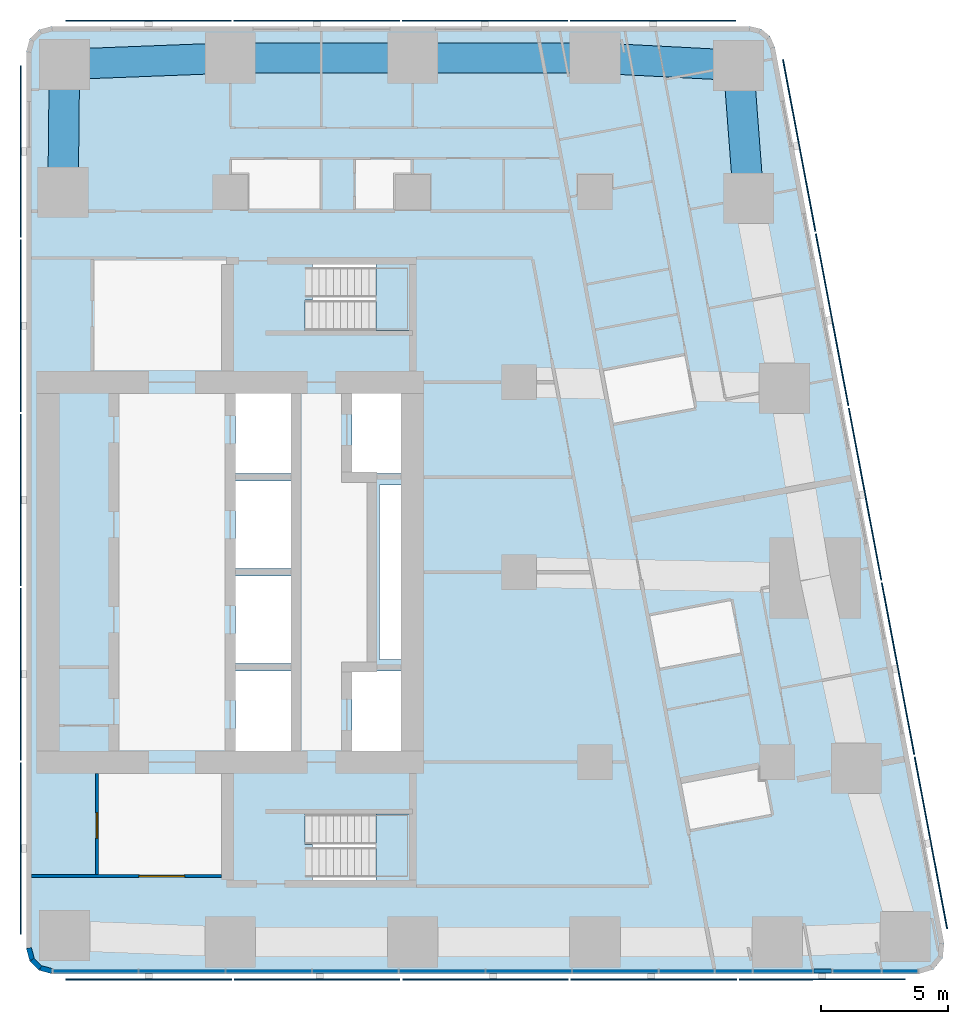
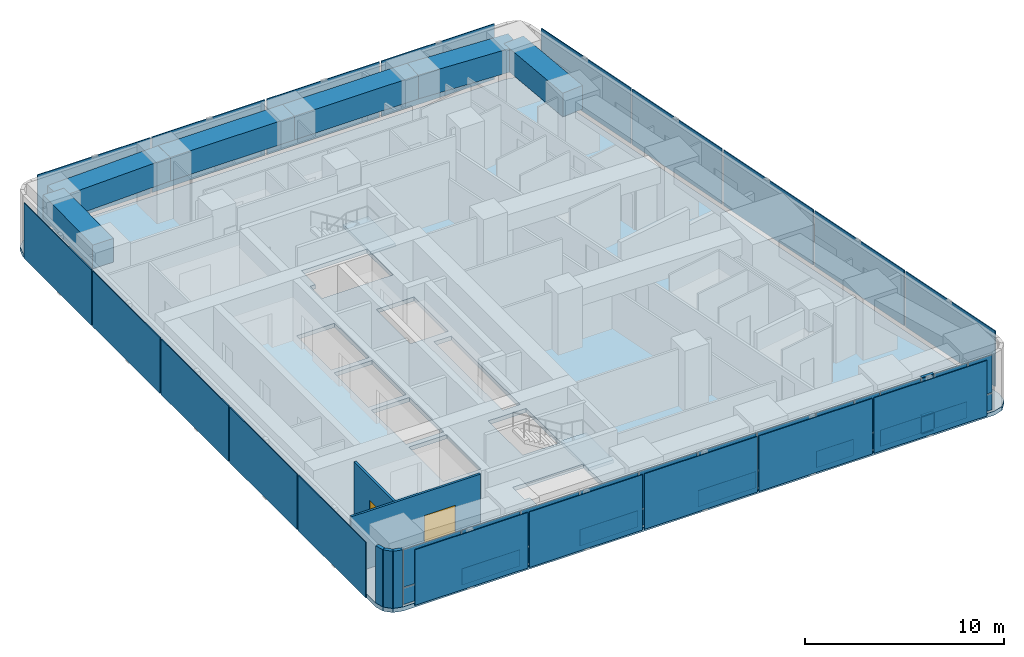
# One storey, part 4 of 11: 45 plates, 6 beams, 5 walls, 3 members, 3 slabs, 2 doors, 2 openings, 3 elements without a shape of their own.
"""IFC4 building model written with IfcOpenShell, lengths in metres."""

from ifc_helpers import new_model, si_unit, direction, frame, frame_2d, origin, origin_2d, place, context, subcontext, project, spatial, polyline, rectangle, outline, extrude, material, layer, layer_set, material_profile, profile_set, type_object, element, fill, aggregate, save


model = new_model("IFC4")

# Units and contexts
model_context = context("Model", 3, precision=1e-05, world=origin(), true_north=direction((0.0, 1.0)))
body_context = subcontext(model_context, "Body", "Model", "MODEL_VIEW")
ifc_project = project(units=[si_unit("LENGTHUNIT", "METRE"), si_unit("AREAUNIT", "SQUARE_METRE"), si_unit("VOLUMEUNIT", "CUBIC_METRE"), si_unit("PLANEANGLEUNIT", "RADIAN"), si_unit("MASSUNIT", "GRAM", prefix="KILO")], contexts=[model_context])

# Site, building, storey
site_placement = place(None, origin())
site = spatial("IfcSite", under=ifc_project, at=site_placement, CompositionType="ELEMENT")
building_placement = place(site_placement, origin())
building = spatial("IfcBuilding", under=site, at=building_placement, Name="Sheger Commons Tower", CompositionType="ELEMENT")
storey_placement = place(building_placement, frame((0.0, 0.0, 266.60009765625)))
storey = spatial("IfcBuildingStorey", under=building, at=storey_placement, Name="L68", CompositionType="ELEMENT", Elevation=266.60009765625)

# Beams
ifc_material_1 = material(Name="Concrete C50/60", Category="concrete")
ifc_material_profile_1 = material_profile(ifc_material_1, rectangle(XDim=1.199951171875, YDim=1.449951171875, at=origin_2d()), Name="RC 1200x1450")
ifc_profile_set_1 = profile_set([ifc_material_profile_1], Name="Concrete C50/60")
beam_type = type_object("IfcBeamType", Name="SPANDREL RC 1200x1450", PredefinedType="SPANDREL", material=ifc_profile_set_1)
beam_1_placement = place(storey_placement, frame((42.06396484375, 37.262939453125, 2.77490234375), z_axis=(-0.075496345854, 0.997146078447, 0.0), x_axis=(-0.997146078447, -0.075496345854, 0.0)))
element("IfcBeam", 1, at=beam_1_placement, inside=storey, type_object=beam_type, Name="Beam E/F-E/G-1.8 under L69", PredefinedType="SPANDREL", context=body_context, shape_type="SweptSolid", body=[
    extrude(rectangle(XDim=1.199951171875, YDim=1.449951171875, at=origin_2d()), origin(), (0.0, 0.0, 1.0), 5.258056640625),
])
beam_2_placement = place(storey_placement, frame((41.6669921875, 42.506103515625, 2.77490234375), z_axis=(-0.998657474351, 0.051800086124, 0.0), x_axis=(-0.051800086124, -0.998657474351, 0.0)))
element("IfcBeam", 2, at=beam_2_placement, inside=storey, type_object=beam_type, Name="Beam E/G-1.8-6/G-1.8 under L69", PredefinedType="SPANDREL", context=body_context, shape_type="SweptSolid", body=[
    extrude(rectangle(XDim=1.199951171875, YDim=1.449951171875, at=origin_2d()), origin(), (0.0, 0.0, 1.0), 5.674560546875),
])
for number, where, z_axis, x_axis, name in (
    (3, (36.0, 42.800048828125, 2.77490234375), (-1.0, 0.0, 0.0), (0.0, -1.0, 0.0), "Beam 6/G-1.8-5/G-1.8 under L69"),
    (4, (28.800048828125, 42.800048828125, 2.77490234375), (-1.0, 0.0, 0.0), (0.0, -1.0, 0.0), "Beam 5/G-1.8-4/G-1.8 under L69"),
):
    element("IfcBeam", number, at=place(storey_placement, frame(where, z_axis=z_axis, x_axis=x_axis)), inside=storey, type_object=beam_type, Name=name, PredefinedType="SPANDREL", context=body_context, shape_type="SweptSolid", body=[
        extrude(rectangle(XDim=1.199951171875, YDim=1.449951171875, at=origin_2d()), origin(), (0.0, 0.0, 1.0), 7.199951171875),
    ])
beam_3_placement = place(storey_placement, frame((21.60009765625, 42.800048828125, 2.77490234375), z_axis=(-0.999247181966, -0.038795223079, 0.0), x_axis=(0.038795223079, -0.999247181966, 0.0)))
element("IfcBeam", 5, at=beam_3_placement, inside=storey, type_object=beam_type, Name="Beam 4/G-1.8-3/G-1.8 under L69", PredefinedType="SPANDREL", context=body_context, shape_type="SweptSolid", body=[
    extrude(rectangle(XDim=1.199951171875, YDim=1.449951171875, at=origin_2d()), origin(), (0.0, 0.0, 1.0), 6.551025390625),
])
beam_4_placement = place(storey_placement, frame((15.053955078125, 42.5458984375, 2.77490234375), z_axis=(-0.010692247282, -0.99994283629, 0.0), x_axis=(0.99994283629, -0.010692247282, 0.0)))
element("IfcBeam", 6, at=beam_4_placement, inside=storey, type_object=beam_type, Name="Beam 3/G-1.8-3/F under L69", PredefinedType="SPANDREL", context=body_context, shape_type="SweptSolid", body=[
    extrude(rectangle(XDim=1.199951171875, YDim=1.449951171875, at=origin_2d()), origin(), (0.0, 0.0, 1.0), 5.046142578125),
])

# Curtain wall, members, plates
ifc_material_2 = material(Name="Black aluminium curtain wall, dark tinted glazing", Category="aluminium")
curtain_wall_type = type_object("IfcCurtainWallType", Name="CURTAIN WALL CW5 SOUTH GALLERY", PredefinedType="USERDEFINED", material=ifc_material_2)
curtain_wall_placement = place(storey_placement, origin())
curtain_wall = element("IfcCurtainWall", 7, at=curtain_wall_placement, inside=storey, type_object=curtain_wall_type, Name="Curtain Wall Cw5 South Gallery S1 L68", ObjectType="UNITISED CURTAIN WALL", PredefinedType="USERDEFINED")
ifc_material_3 = material(Name="Black anodised aluminium", Category="aluminium")
ifc_material_profile_2 = material_profile(ifc_material_3, rectangle(XDim=0.14990234375, YDim=0.06494140625, at=origin_2d()), Name="AL 65x150")
ifc_profile_set_2 = profile_set([ifc_material_profile_2], Name="Black anodised aluminium")
member_type = type_object("IfcMemberType", Name="TRANSOM AL 65x150", PredefinedType="USERDEFINED", material=ifc_profile_set_2)
member_1_placement = place(storey_placement, frame((44.638427734375, 6.75, 0.032470703125), z_axis=(1.0, 0.0, 0.0), x_axis=(0.0, 1.0, 0.0)))
member_1 = element("IfcMember", 8, at=member_1_placement, type_object=member_type, Name="CW5 transom 11.1", ObjectType="TRANSOM", PredefinedType="USERDEFINED", context=body_context, shape_type="SweptSolid", body=[
    extrude(rectangle(XDim=0.14990234375, YDim=0.06494140625, at=origin_2d()), origin(), (0.0, 0.0, 1.0), 0.694091796875),
])
member_2_placement = place(storey_placement, frame((44.638427734375, 6.75, 1.099853515625), z_axis=(1.0, 0.0, 0.0), x_axis=(0.0, 1.0, 0.0)))
member_2 = element("IfcMember", 9, at=member_2_placement, type_object=member_type, Name="CW5 transom 11.2", ObjectType="TRANSOM", PredefinedType="USERDEFINED", context=body_context, shape_type="SweptSolid", body=[
    extrude(rectangle(XDim=0.14990234375, YDim=0.06494140625, at=origin_2d()), origin(), (0.0, 0.0, 1.0), 0.694091796875),
])
member_3_placement = place(storey_placement, frame((44.638427734375, 6.75, 3.46728515625), z_axis=(1.0, 0.0, 0.0), x_axis=(0.0, 1.0, 0.0)))
member_3 = element("IfcMember", 10, at=member_3_placement, type_object=member_type, Name="CW5 transom 11.3", ObjectType="TRANSOM", PredefinedType="USERDEFINED", context=body_context, shape_type="SweptSolid", body=[
    extrude(rectangle(XDim=0.14990234375, YDim=0.06494140625, at=origin_2d()), origin(), (0.0, 0.0, 1.0), 0.694091796875),
])
ifc_material_4 = material(Name="Dark tinted double glazing", Category="glass")
ifc_layer_1 = layer(ifc_material_4, 0.031982421875)
ifc_layer_set_1 = layer_set([ifc_layer_1], Name="GLAZED PANEL 32")
plate_type_1 = type_object("IfcPlateType", Name="GLAZED PANEL 32", PredefinedType="CURTAIN_PANEL", material=ifc_layer_set_1)
plate_1_placement = place(storey_placement, frame((16.290283203125, 6.75, 0.06494140625), z_axis=(0.0, 0.0, 1.0), x_axis=(1.0, 0.0, 0.0)))
plate_1 = element("IfcPlate", 11, at=plate_1_placement, type_object=plate_type_1, Name="CW5 panel 1.1", PredefinedType="CURTAIN_PANEL", context=body_context, shape_type="SweptSolid", body=[
    extrude(rectangle(XDim=3.324462890625, YDim=0.031982421875, at=origin_2d()), origin(), (0.0, 0.0, 1.0), 1.00244140625),
])
plate_2_placement = place(storey_placement, frame((16.290283203125, 6.75, 1.13232421875), z_axis=(0.0, 0.0, 1.0), x_axis=(1.0, 0.0, 0.0)))
plate_2 = element("IfcPlate", 12, at=plate_2_placement, type_object=plate_type_1, Name="CW5 panel 1.2", PredefinedType="CURTAIN_PANEL", context=body_context, shape_type="SweptSolid", body=[
    extrude(rectangle(XDim=3.324462890625, YDim=0.031982421875, at=origin_2d()), origin(), (0.0, 0.0, 1.0), 2.302490234375),
])
plate_3_placement = place(storey_placement, frame((19.696533203125, 6.75, 0.06494140625), z_axis=(0.0, 0.0, 1.0), x_axis=(1.0, 0.0, 0.0)))
plate_3 = element("IfcPlate", 13, at=plate_3_placement, type_object=plate_type_1, Name="CW5 panel 2.1", PredefinedType="CURTAIN_PANEL", context=body_context, shape_type="SweptSolid", body=[
    extrude(rectangle(XDim=3.35791015625, YDim=0.031982421875, at=origin_2d()), origin(), (0.0, 0.0, 1.0), 1.00244140625),
])
plate_4_placement = place(storey_placement, frame((19.696533203125, 6.75, 1.13232421875), z_axis=(0.0, 0.0, 1.0), x_axis=(1.0, 0.0, 0.0)))
plate_4 = element("IfcPlate", 14, at=plate_4_placement, type_object=plate_type_1, Name="CW5 panel 2.2", PredefinedType="CURTAIN_PANEL", context=body_context, shape_type="SweptSolid", body=[
    extrude(rectangle(XDim=3.35791015625, YDim=0.031982421875, at=origin_2d()), origin(), (0.0, 0.0, 1.0), 2.302490234375),
])
plate_5_placement = place(storey_placement, frame((23.118896484375, 6.75, 0.06494140625), z_axis=(0.0, 0.0, 1.0), x_axis=(1.0, 0.0, 0.0)))
plate_5 = element("IfcPlate", 15, at=plate_5_placement, type_object=plate_type_1, Name="CW5 panel 3.1", PredefinedType="CURTAIN_PANEL", context=body_context, shape_type="SweptSolid", body=[
    extrude(rectangle(XDim=3.35693359375, YDim=0.031982421875, at=origin_2d()), origin(), (0.0, 0.0, 1.0), 1.00244140625),
])
plate_6_placement = place(storey_placement, frame((23.118896484375, 6.75, 1.13232421875), z_axis=(0.0, 0.0, 1.0), x_axis=(1.0, 0.0, 0.0)))
plate_6 = element("IfcPlate", 16, at=plate_6_placement, type_object=plate_type_1, Name="CW5 panel 3.2", PredefinedType="CURTAIN_PANEL", context=body_context, shape_type="SweptSolid", body=[
    extrude(rectangle(XDim=3.35693359375, YDim=0.031982421875, at=origin_2d()), origin(), (0.0, 0.0, 1.0), 2.302490234375),
])
plate_7_placement = place(storey_placement, frame((26.54150390625, 6.75, 0.06494140625), z_axis=(0.0, 0.0, 1.0), x_axis=(1.0, 0.0, 0.0)))
plate_7 = element("IfcPlate", 17, at=plate_7_placement, type_object=plate_type_1, Name="CW5 panel 4.1", PredefinedType="CURTAIN_PANEL", context=body_context, shape_type="SweptSolid", body=[
    extrude(rectangle(XDim=3.35791015625, YDim=0.031982421875, at=origin_2d()), origin(), (0.0, 0.0, 1.0), 1.00244140625),
])
plate_8_placement = place(storey_placement, frame((26.54150390625, 6.75, 1.13232421875), z_axis=(0.0, 0.0, 1.0), x_axis=(1.0, 0.0, 0.0)))
plate_8 = element("IfcPlate", 18, at=plate_8_placement, type_object=plate_type_1, Name="CW5 panel 4.2", PredefinedType="CURTAIN_PANEL", context=body_context, shape_type="SweptSolid", body=[
    extrude(rectangle(XDim=3.35791015625, YDim=0.031982421875, at=origin_2d()), origin(), (0.0, 0.0, 1.0), 2.302490234375),
])
plate_9_placement = place(storey_placement, frame((29.964111328125, 6.75, 0.06494140625), z_axis=(0.0, 0.0, 1.0), x_axis=(1.0, 0.0, 0.0)))
plate_9 = element("IfcPlate", 19, at=plate_9_placement, type_object=plate_type_1, Name="CW5 panel 5.1", PredefinedType="CURTAIN_PANEL", context=body_context, shape_type="SweptSolid", body=[
    extrude(rectangle(XDim=3.35693359375, YDim=0.031982421875, at=origin_2d()), origin(), (0.0, 0.0, 1.0), 1.00244140625),
])
plate_10_placement = place(storey_placement, frame((29.964111328125, 6.75, 1.13232421875), z_axis=(0.0, 0.0, 1.0), x_axis=(1.0, 0.0, 0.0)))
plate_10 = element("IfcPlate", 20, at=plate_10_placement, type_object=plate_type_1, Name="CW5 panel 5.2", PredefinedType="CURTAIN_PANEL", context=body_context, shape_type="SweptSolid", body=[
    extrude(rectangle(XDim=3.35693359375, YDim=0.031982421875, at=origin_2d()), origin(), (0.0, 0.0, 1.0), 2.302490234375),
])
plate_11_placement = place(storey_placement, frame((33.385986328125, 6.75, 0.06494140625), z_axis=(0.0, 0.0, 1.0), x_axis=(1.0, 0.0, 0.0)))
plate_11 = element("IfcPlate", 21, at=plate_11_placement, type_object=plate_type_1, Name="CW5 panel 6.1", PredefinedType="CURTAIN_PANEL", context=body_context, shape_type="SweptSolid", body=[
    extrude(rectangle(XDim=3.35693359375, YDim=0.031982421875, at=origin_2d()), origin(), (0.0, 0.0, 1.0), 1.00244140625),
])
plate_12_placement = place(storey_placement, frame((33.385986328125, 6.75, 1.13232421875), z_axis=(0.0, 0.0, 1.0), x_axis=(1.0, 0.0, 0.0)))
plate_12 = element("IfcPlate", 22, at=plate_12_placement, type_object=plate_type_1, Name="CW5 panel 6.2", PredefinedType="CURTAIN_PANEL", context=body_context, shape_type="SweptSolid", body=[
    extrude(rectangle(XDim=3.35693359375, YDim=0.031982421875, at=origin_2d()), origin(), (0.0, 0.0, 1.0), 2.302490234375),
])
plate_13_placement = place(storey_placement, frame((36.80859375, 6.75, 0.06494140625), z_axis=(0.0, 0.0, 1.0), x_axis=(1.0, 0.0, 0.0)))
plate_13 = element("IfcPlate", 23, at=plate_13_placement, type_object=plate_type_1, Name="CW5 panel 7.1", PredefinedType="CURTAIN_PANEL", context=body_context, shape_type="SweptSolid", body=[
    extrude(rectangle(XDim=3.35791015625, YDim=0.031982421875, at=origin_2d()), origin(), (0.0, 0.0, 1.0), 1.00244140625),
])
plate_14_placement = place(storey_placement, frame((36.80859375, 6.75, 1.13232421875), z_axis=(0.0, 0.0, 1.0), x_axis=(1.0, 0.0, 0.0)))
plate_14 = element("IfcPlate", 24, at=plate_14_placement, type_object=plate_type_1, Name="CW5 panel 7.2", PredefinedType="CURTAIN_PANEL", context=body_context, shape_type="SweptSolid", body=[
    extrude(rectangle(XDim=3.35791015625, YDim=0.031982421875, at=origin_2d()), origin(), (0.0, 0.0, 1.0), 2.302490234375),
])
plate_15_placement = place(storey_placement, frame((39.62451171875, 6.75, 0.06494140625), z_axis=(0.0, 0.0, 1.0), x_axis=(1.0, 0.0, 0.0)))
plate_15 = element("IfcPlate", 25, at=plate_15_placement, type_object=plate_type_1, Name="CW5 panel 8.1", PredefinedType="CURTAIN_PANEL", context=body_context, shape_type="SweptSolid", body=[
    extrude(rectangle(XDim=2.14404296875, YDim=0.031982421875, at=origin_2d()), origin(), (0.0, 0.0, 1.0), 1.00244140625),
])
plate_16_placement = place(storey_placement, frame((39.62451171875, 6.75, 1.13232421875), z_axis=(0.0, 0.0, 1.0), x_axis=(1.0, 0.0, 0.0)))
plate_16 = element("IfcPlate", 26, at=plate_16_placement, type_object=plate_type_1, Name="CW5 panel 8.2", PredefinedType="CURTAIN_PANEL", context=body_context, shape_type="SweptSolid", body=[
    extrude(rectangle(XDim=2.14404296875, YDim=0.031982421875, at=origin_2d()), origin(), (0.0, 0.0, 1.0), 2.302490234375),
])
plate_17_placement = place(storey_placement, frame((41.478515625, 6.75, 0.06494140625), z_axis=(0.0, 0.0, 1.0), x_axis=(1.0, 0.0, 0.0)))
plate_17 = element("IfcPlate", 27, at=plate_17_placement, type_object=plate_type_1, Name="CW5 panel 9.1", PredefinedType="CURTAIN_PANEL", context=body_context, shape_type="SweptSolid", body=[
    extrude(rectangle(XDim=1.43408203125, YDim=0.031982421875, at=origin_2d()), origin(), (0.0, 0.0, 1.0), 1.00244140625),
])
plate_18_placement = place(storey_placement, frame((41.478515625, 6.75, 1.13232421875), z_axis=(0.0, 0.0, 1.0), x_axis=(1.0, 0.0, 0.0)))
plate_18 = element("IfcPlate", 28, at=plate_18_placement, type_object=plate_type_1, Name="CW5 panel 9.2", PredefinedType="CURTAIN_PANEL", context=body_context, shape_type="SweptSolid", body=[
    extrude(rectangle(XDim=1.43408203125, YDim=0.031982421875, at=origin_2d()), origin(), (0.0, 0.0, 1.0), 2.302490234375),
])
plate_19_placement = place(storey_placement, frame((43.4169921875, 6.75, 0.06494140625), z_axis=(0.0, 0.0, 1.0), x_axis=(1.0, 0.0, 0.0)))
plate_19 = element("IfcPlate", 29, at=plate_19_placement, type_object=plate_type_1, Name="CW5 panel 10.1", PredefinedType="CURTAIN_PANEL", context=body_context, shape_type="SweptSolid", body=[
    extrude(rectangle(XDim=2.31298828125, YDim=0.031982421875, at=origin_2d()), origin(), (0.0, 0.0, 1.0), 1.00244140625),
])
plate_20_placement = place(storey_placement, frame((43.4169921875, 6.75, 1.13232421875), z_axis=(0.0, 0.0, 1.0), x_axis=(1.0, 0.0, 0.0)))
plate_20 = element("IfcPlate", 30, at=plate_20_placement, type_object=plate_type_1, Name="CW5 panel 10.2", PredefinedType="CURTAIN_PANEL", context=body_context, shape_type="SweptSolid", body=[
    extrude(rectangle(XDim=2.31298828125, YDim=0.031982421875, at=origin_2d()), origin(), (0.0, 0.0, 1.0), 2.302490234375),
])
plate_21_placement = place(storey_placement, frame((44.985595703125, 6.75, 0.06494140625), z_axis=(0.0, 0.0, 1.0), x_axis=(1.0, 0.0, 0.0)))
plate_21 = element("IfcPlate", 31, at=plate_21_placement, type_object=plate_type_1, Name="CW5 panel 11.1", PredefinedType="CURTAIN_PANEL", context=body_context, shape_type="SweptSolid", body=[
    extrude(rectangle(XDim=0.694091796875, YDim=0.031982421875, at=origin_2d()), origin(), (0.0, 0.0, 1.0), 1.00244140625),
])
plate_22_placement = place(storey_placement, frame((44.985595703125, 6.75, 1.13232421875), z_axis=(0.0, 0.0, 1.0), x_axis=(1.0, 0.0, 0.0)))
plate_22 = element("IfcPlate", 32, at=plate_22_placement, type_object=plate_type_1, Name="CW5 panel 11.2", PredefinedType="CURTAIN_PANEL", context=body_context, shape_type="SweptSolid", body=[
    extrude(rectangle(XDim=0.694091796875, YDim=0.031982421875, at=origin_2d()), origin(), (0.0, 0.0, 1.0), 2.302490234375),
])
plate_23_placement = place(storey_placement, frame((46.342041015625, 6.75, 0.06494140625), z_axis=(0.0, 0.0, 1.0), x_axis=(1.0, 0.0, 0.0)))
plate_23 = element("IfcPlate", 33, at=plate_23_placement, type_object=plate_type_1, Name="CW5 panel 12.1", PredefinedType="CURTAIN_PANEL", context=body_context, shape_type="SweptSolid", body=[
    extrude(rectangle(XDim=1.888916015625, YDim=0.031982421875, at=origin_2d()), origin(), (0.0, 0.0, 1.0), 1.00244140625),
])
plate_24_placement = place(storey_placement, frame((46.342041015625, 6.75, 1.13232421875), z_axis=(0.0, 0.0, 1.0), x_axis=(1.0, 0.0, 0.0)))
plate_24 = element("IfcPlate", 34, at=plate_24_placement, type_object=plate_type_1, Name="CW5 panel 12.2", PredefinedType="CURTAIN_PANEL", context=body_context, shape_type="SweptSolid", body=[
    extrude(rectangle(XDim=1.888916015625, YDim=0.031982421875, at=origin_2d()), origin(), (0.0, 0.0, 1.0), 2.302490234375),
])
plate_25_placement = place(storey_placement, frame((48.036865234375, 6.75, 0.06494140625), z_axis=(0.0, 0.0, 1.0), x_axis=(1.0, 0.0, 0.0)))
plate_25 = element("IfcPlate", 35, at=plate_25_placement, type_object=plate_type_1, Name="CW5 panel 13.1", PredefinedType="CURTAIN_PANEL", context=body_context, shape_type="SweptSolid", body=[
    extrude(rectangle(XDim=1.37060546875, YDim=0.031982421875, at=origin_2d()), origin(), (0.0, 0.0, 1.0), 1.00244140625),
])
plate_26_placement = place(storey_placement, frame((48.036865234375, 6.75, 1.13232421875), z_axis=(0.0, 0.0, 1.0), x_axis=(1.0, 0.0, 0.0)))
plate_26 = element("IfcPlate", 36, at=plate_26_placement, type_object=plate_type_1, Name="CW5 panel 13.2", PredefinedType="CURTAIN_PANEL", context=body_context, shape_type="SweptSolid", body=[
    extrude(rectangle(XDim=1.37060546875, YDim=0.031982421875, at=origin_2d()), origin(), (0.0, 0.0, 1.0), 2.302490234375),
])
aggregate(curtain_wall, [plate_1, plate_2, plate_3, plate_4, plate_5, plate_6, plate_7, plate_8, plate_9, plate_10, plate_11, plate_12, plate_13, plate_14, plate_15, plate_16, plate_17, plate_18, plate_19, plate_20, member_1, member_2, member_3, plate_21, plate_22, plate_23, plate_24, plate_25, plate_26])

# Slab
ifc_material_5 = material(Name="Concrete C35/45", Category="concrete")
ifc_layer_2 = layer(ifc_material_5, 0.25)
ifc_layer_set_2 = layer_set([ifc_layer_2], Name="SLAB FLOOR 250")
slab_type_1 = type_object("IfcSlabType", Name="SLAB FLOOR 250", PredefinedType="FLOOR", material=ifc_layer_set_2)
slab_1_placement = place(storey_placement, frame((0.0, 0.0, -0.25)))
element("IfcSlab", 37, at=slab_1_placement, inside=storey, type_object=slab_type_1, Name="L68 floor slab", PredefinedType="FLOOR", context=body_context, shape_type="SweptSolid", body=[
    extrude(outline(polyline([(13.550048828125, 7.64990234375), (13.68408203125, 7.14990234375), (14.050048828125, 6.783935546875), (14.550048828125, 6.64990234375), (48.802001953125, 6.64990234375), (49.35498046875, 6.81689453125), (49.72412109375, 7.260986328125), (49.784912109375, 7.8359375), (43.097900390625, 43.236083984375), (42.912109375, 43.654052734375), (42.56005859375, 43.945068359375), (42.114990234375, 44.050048828125), (14.550048828125, 44.050048828125), (14.050048828125, 43.916015625), (13.68408203125, 43.550048828125), (13.550048828125, 43.050048828125), (13.550048828125, 7.64990234375)]), holes=[polyline([(24.85009765625, 10.35009765625), (28.64990234375, 10.35009765625), (28.64990234375, 12.949951171875), (24.551025390625, 12.949951171875), (24.551025390625, 11.75), (24.85009765625, 11.75), (24.85009765625, 10.35009765625)]), polyline([(24.551025390625, 32.050048828125), (28.64990234375, 32.050048828125), (28.64990234375, 34.64990234375), (24.85009765625, 34.64990234375), (24.85009765625, 33.25), (24.551025390625, 33.25), (24.551025390625, 32.050048828125)]), polyline([(26.39990234375, 15.14990234375), (28.60009765625, 15.14990234375), (28.60009765625, 18.60009765625), (26.39990234375, 18.60009765625), (26.39990234375, 15.14990234375)]), polyline([(26.39990234375, 26.39990234375), (28.60009765625, 26.39990234375), (28.60009765625, 29.85009765625), (26.39990234375, 29.85009765625), (26.39990234375, 26.39990234375)]), polyline([(21.800048828125, 15.14990234375), (24.0, 15.14990234375), (24.0, 18.60009765625), (21.800048828125, 18.60009765625), (21.800048828125, 15.14990234375)]), polyline([(21.800048828125, 18.89990234375), (24.0, 18.89990234375), (24.0, 22.35009765625), (21.800048828125, 22.35009765625), (21.800048828125, 18.89990234375)]), polyline([(21.800048828125, 22.64990234375), (24.0, 22.64990234375), (24.0, 26.10009765625), (21.800048828125, 26.10009765625), (21.800048828125, 22.64990234375)]), polyline([(21.800048828125, 26.39990234375), (24.0, 26.39990234375), (24.0, 29.85009765625), (21.800048828125, 29.85009765625), (21.800048828125, 26.39990234375)]), polyline([(27.5, 19.050048828125), (28.5, 19.050048828125), (28.5, 25.949951171875), (27.5, 25.949951171875), (27.5, 19.050048828125)])]), origin(), (0.0, 0.0, 1.0), 0.25),
])

# Plates
ifc_material_6 = material(Name="Perforated black anodised aluminium screen", Category="aluminium")
ifc_layer_3 = layer(ifc_material_6, 0.050048828125)
ifc_layer_set_3 = layer_set([ifc_layer_3], Name="SOLAR SCREEN SCREEN-1")
plate_type_2 = type_object("IfcPlateType", Name="SOLAR SCREEN SCREEN-1", PredefinedType="USERDEFINED", material=ifc_layer_set_3)
for number, where, z_axis, x_axis, name in (
    (38, (18.375, 6.425048828125, 0.050048828125), (0.0, 0.0, 1.0), (1.0, 0.0, 0.0), "Perforated solar screen panel"),
    (39, (25.02587890625, 6.425048828125, 0.050048828125), (0.0, 0.0, 1.0), (1.0, 0.0, 0.0), "Perforated solar screen panel"),
    (40, (31.676025390625, 6.425048828125, 0.050048828125), (0.0, 0.0, 1.0), (1.0, 0.0, 0.0), "Perforated solar screen panel"),
    (41, (38.325927734375, 6.425048828125, 0.050048828125), (0.0, 0.0, 1.0), (1.0, 0.0, 0.0), "Perforated solar screen panel"),
    (42, (44.97705078125, 6.425048828125, 0.050048828125), (0.0, 0.0, 1.0), (1.0, 0.0, 0.0), "Perforated solar screen panel"),
):
    element("IfcPlate", number, at=place(storey_placement, frame(where, z_axis=z_axis, x_axis=x_axis)), inside=storey, type_object=plate_type_2, Name=name, ObjectType="SCREEN", PredefinedType="USERDEFINED", context=body_context, shape_type="SweptSolid", body=[
        extrude(rectangle(XDim=6.550048828125, YDim=0.050048828125, at=origin_2d()), origin(), (0.0, 0.0, 1.0), 3.39990234375),
    ])
for number, where, z_axis, x_axis, name in (
    (43, (49.262939453125, 11.81103515625, 0.050048828125), (0.0, 0.0, 1.0), (-0.185615165645, 0.982622516678, 0.0), "Perforated solar screen panel"),
    (44, (47.962890625, 18.694091796875, 0.050048828125), (0.0, 0.0, 1.0), (-0.185615165645, 0.982622516678, 0.0), "Perforated solar screen panel"),
    (45, (46.6630859375, 25.577880859375, 0.050048828125), (0.0, 0.0, 1.0), (-0.185615165645, 0.982622516678, 0.0), "Perforated solar screen panel"),
    (46, (45.362060546875, 32.4609375, 0.050048828125), (0.0, 0.0, 1.0), (-0.185615165645, 0.982622516678, 0.0), "Perforated solar screen panel"),
    (47, (44.06201171875, 39.344970703125, 0.050048828125), (0.0, 0.0, 1.0), (-0.185615165645, 0.982622516678, 0.0), "Perforated solar screen panel"),
):
    element("IfcPlate", number, at=place(storey_placement, frame(where, z_axis=z_axis, x_axis=x_axis)), inside=storey, type_object=plate_type_2, Name=name, ObjectType="SCREEN", PredefinedType="USERDEFINED", context=body_context, shape_type="SweptSolid", body=[
        extrude(rectangle(XDim=6.905029296875, YDim=0.050048828125, at=origin_2d()), origin(), (0.0, 0.0, 1.0), 3.39990234375),
    ])
for number, where, z_axis, x_axis, name in (
    (48, (38.2939453125, 44.27490234375, 0.050048828125), (0.0, 0.0, 1.0), (-1.0, 0.0, 0.0), "Perforated solar screen panel"),
    (49, (31.653076171875, 44.27490234375, 0.050048828125), (0.0, 0.0, 1.0), (-1.0, 0.0, 0.0), "Perforated solar screen panel"),
    (50, (25.011962890625, 44.27490234375, 0.050048828125), (0.0, 0.0, 1.0), (-1.0, 0.0, 0.0), "Perforated solar screen panel"),
    (51, (18.37109375, 44.27490234375, 0.050048828125), (0.0, 0.0, 1.0), (-1.0, 0.0, 0.0), "Perforated solar screen panel"),
):
    element("IfcPlate", number, at=place(storey_placement, frame(where, z_axis=z_axis, x_axis=x_axis)), inside=storey, type_object=plate_type_2, Name=name, ObjectType="SCREEN", PredefinedType="USERDEFINED", context=body_context, shape_type="SweptSolid", body=[
        extrude(rectangle(XDim=6.541015625, YDim=0.050048828125, at=origin_2d()), origin(), (0.0, 0.0, 1.0), 3.39990234375),
    ])
for number, where, z_axis, x_axis, name in (
    (52, (13.324951171875, 39.110107421875, 0.050048828125), (0.0, 0.0, 1.0), (0.0, -1.0, 0.0), "Perforated solar screen panel"),
    (53, (13.324951171875, 32.22998046875, 0.050048828125), (0.0, 0.0, 1.0), (0.0, -1.0, 0.0), "Perforated solar screen panel"),
    (54, (13.324951171875, 25.35009765625, 0.050048828125), (0.0, 0.0, 1.0), (0.0, -1.0, 0.0), "Perforated solar screen panel"),
    (55, (13.324951171875, 18.469970703125, 0.050048828125), (0.0, 0.0, 1.0), (0.0, -1.0, 0.0), "Perforated solar screen panel"),
    (56, (13.324951171875, 11.590087890625, 0.050048828125), (0.0, 0.0, 1.0), (0.0, -1.0, 0.0), "Perforated solar screen panel"),
):
    element("IfcPlate", number, at=place(storey_placement, frame(where, z_axis=z_axis, x_axis=x_axis)), inside=storey, type_object=plate_type_2, Name=name, ObjectType="SCREEN", PredefinedType="USERDEFINED", context=body_context, shape_type="SweptSolid", body=[
        extrude(rectangle(XDim=6.780029296875, YDim=0.050048828125, at=origin_2d()), origin(), (0.0, 0.0, 1.0), 3.39990234375),
    ])

# Stair, slab
ifc_material_7 = material(Name="Concrete C35/45", Category="concrete")
stair_type = type_object("IfcStairType", Name="HALF-TURN STAIR 1200 RISE 3750", PredefinedType="HALF_TURN_STAIR", material=ifc_material_7)
stair_1_placement = place(storey_placement, origin())
stair_1 = element("IfcStair", 57, at=stair_1_placement, inside=storey, type_object=stair_type, Name="Stair S1 L68", PredefinedType="HALF_TURN_STAIR")
ifc_material_8 = material(Name="Concrete C35/45", Category="concrete")
ifc_layer_4 = layer(ifc_material_8, 0.199951171875)
ifc_layer_set_4 = layer_set([ifc_layer_4], Name="STAIR LANDING 200")
slab_type_2 = type_object("IfcSlabType", Name="STAIR LANDING 200", PredefinedType="LANDING", material=ifc_layer_set_4)
slab_2_placement = place(storey_placement, frame((0.0, 0.0, 1.6748046875)))
slab_2 = element("IfcSlab", 58, at=slab_2_placement, type_object=slab_type_2, Name="S1 landing 1", PredefinedType="LANDING", context=body_context, shape_type="SweptSolid", body=[
    extrude(outline(polyline([(27.35009765625, 10.199951171875), (28.800048828125, 10.199951171875), (28.800048828125, 12.949951171875), (27.35009765625, 12.949951171875), (27.35009765625, 10.199951171875)])), origin(), (0.0, 0.0, 1.0), 0.2001953125),
])
aggregate(stair_1, [slab_2])

stair_2_placement = place(storey_placement, origin())
stair_2 = element("IfcStair", 59, at=stair_2_placement, inside=storey, type_object=stair_type, Name="Stair S2 L68", PredefinedType="HALF_TURN_STAIR")
slab_3_placement = place(storey_placement, frame((0.0, 0.0, 1.6748046875)))
slab_3 = element("IfcSlab", 60, at=slab_3_placement, type_object=slab_type_2, Name="S2 landing 1", PredefinedType="LANDING", context=body_context, shape_type="SweptSolid", body=[
    extrude(outline(polyline([(27.35009765625, 32.050048828125), (28.800048828125, 32.050048828125), (28.800048828125, 34.800048828125), (27.35009765625, 34.800048828125), (27.35009765625, 32.050048828125)])), origin(), (0.0, 0.0, 1.0), 0.2001953125),
])
aggregate(stair_2, [slab_3])

# Walls
ifc_material_9 = material(Name="Rendered concrete block masonry, dark grey", Category="masonry")
ifc_layer_5 = layer(ifc_material_9, 0.199951171875)
ifc_layer_set_5 = layer_set([ifc_layer_5], Name="FACADE WALL 200")
wall_type_1 = type_object("IfcWallType", Name="FACADE WALL 200", PredefinedType="SOLIDWALL", material=ifc_layer_set_5)
wall_1_placement = place(storey_placement, frame((13.64990234375, 7.6630859375, 0.0), z_axis=(0.0, 0.0, 1.0), x_axis=(0.259698463175, -0.965689757751, 0.0)))
element("IfcWall", 61, at=wall_1_placement, inside=storey, type_object=wall_type_1, Name="Facade wall L68", PredefinedType="SOLIDWALL", context=body_context, shape_type="SweptSolid", body=[
    extrude(rectangle(XDim=0.4775390625, YDim=0.199951171875, at=frame_2d((0.23876953125, 0.0))), origin(), (0.0, 0.0, 1.0), 3.5),
])
wall_2_placement = place(storey_placement, frame((13.77392578125, 7.201904296875, 0.0), z_axis=(0.0, 0.0, 1.0), x_axis=(0.707369890659, -0.706843573776, 0.0)))
element("IfcWall", 62, at=wall_2_placement, inside=storey, type_object=wall_type_1, Name="Facade wall L68", PredefinedType="SOLIDWALL", context=body_context, shape_type="SweptSolid", body=[
    extrude(rectangle(XDim=0.4638671875, YDim=0.199951171875, at=frame_2d((0.23193359375, 0.0))), origin(), (0.0, 0.0, 1.0), 3.5),
])
wall_3_placement = place(storey_placement, frame((14.10205078125, 6.8740234375, 0.0), z_axis=(0.0, 0.0, 1.0), x_axis=(0.965655254015, -0.259826731483, 0.0)))
element("IfcWall", 63, at=wall_3_placement, inside=storey, type_object=wall_type_1, Name="Facade wall L68", PredefinedType="SOLIDWALL", context=body_context, shape_type="SweptSolid", body=[
    extrude(rectangle(XDim=0.477294921875, YDim=0.199951171875, at=frame_2d((0.23876953125, 0.0))), origin(), (0.0, 0.0, 1.0), 3.5),
])

# Wall, opening, door
ifc_material_10 = material(Name="Gypsum board on steel studs, two layers each side, fire rated", Category="steel")
ifc_layer_6 = layer(ifc_material_10, 0.125)
ifc_layer_set_6 = layer_set([ifc_layer_6], Name="SERVICE WALL 125")
wall_type_2 = type_object("IfcWallType", Name="SERVICE WALL 125", PredefinedType="PARTITIONING", material=ifc_layer_set_6)
wall_4_placement = place(storey_placement, frame((13.75, 10.5, 0.0), z_axis=(0.0, 0.0, 1.0), x_axis=(1.0, 0.0, 0.0)))
wall_4 = element("IfcWall", 64, at=wall_4_placement, inside=storey, type_object=wall_type_2, Name="Service room wall L68", PredefinedType="PARTITIONING", context=body_context, shape_type="SweptSolid", body=[
    extrude(rectangle(XDim=7.5, YDim=0.125, at=frame_2d((3.75, 0.0))), origin(), (0.0, 0.0, 1.0), 3.5),
])
opening_1_placement = place(wall_4_placement, frame((4.2451171875, 0.0, 0.0)))
opening_1 = element("IfcOpeningElement", 65, at=opening_1_placement, cuts=wall_4, Name="Opening D6", PredefinedType="OPENING", context=body_context, shape_type="SweptSolid", body=[
    extrude(rectangle(XDim=1.800048828125, YDim=2.10009765625, at=frame_2d((0.89990234375, 1.050048828125))), frame((0.0, 0.072509765625, 0.0), z_axis=(0.0, -1.0, 0.0), x_axis=(1.0, 0.0, 0.0)), (0.0, 0.0, 1.0), 0.14501953125),
])
ifc_material_11 = material(Name="Steel door set, fire rated", Category="steel")
door_type_1 = type_object("IfcDoorType", Name="LOBBY DOUBLE DOOR 1800x2100", OperationType="DOUBLE_DOOR_SINGLE_SWING", PredefinedType="DOOR", material=ifc_material_11)
door_1_placement = place(opening_1_placement, origin())
door_1 = element("IfcDoor", 66, at=door_1_placement, inside=storey, type_object=door_type_1, Name="Lift lobby south door", OperationType="DOUBLE_DOOR_SINGLE_SWING", OverallHeight=2.10009765625, OverallWidth=1.800048828125, PredefinedType="DOOR", context=body_context, shape_type="SweptSolid", body=[
    extrude(rectangle(XDim=1.800048828125, YDim=2.10009765625, at=frame_2d((0.89990234375, 1.050048828125))), frame((0.0, 0.02490234375, 0.0), z_axis=(0.0, -1.0, 0.0), x_axis=(1.0, 0.0, 0.0)), (0.0, 0.0, 1.0), 0.050048828125),
])
fill(opening_1, door_1)

wall_5_placement = place(storey_placement, frame((16.340087890625, 10.56201171875, 0.0), z_axis=(0.0, 0.0, 1.0), x_axis=(0.0, 1.0, 0.0)))
wall_5 = element("IfcWall", 67, at=wall_5_placement, inside=storey, type_object=wall_type_2, Name="Service room wall L68", PredefinedType="PARTITIONING", context=body_context, shape_type="SweptSolid", body=[
    extrude(rectangle(XDim=3.988037109375, YDim=0.125, at=frame_2d((1.994140625, 0.0))), origin(), (0.0, 0.0, 1.0), 3.5),
])
opening_2_placement = place(wall_5_placement, frame((1.43798828125, 0.0, 0.0)))
opening_2 = element("IfcOpeningElement", 68, at=opening_2_placement, cuts=wall_5, Name="Opening D4", PredefinedType="OPENING", context=body_context, shape_type="SweptSolid", body=[
    extrude(rectangle(XDim=1.0, YDim=2.10009765625, at=frame_2d((0.5, 1.050048828125))), frame((0.0, 0.072509765625, 0.0), z_axis=(0.0, -1.0, 0.0), x_axis=(1.0, 0.0, 0.0)), (0.0, 0.0, 1.0), 0.14501953125),
])
ifc_material_12 = material(Name="Steel door set, fire rated", Category="steel")
door_type_2 = type_object("IfcDoorType", Name="SERVICE DOOR 1000x2100", OperationType="NOTDEFINED", PredefinedType="DOOR", material=ifc_material_12)
door_2_placement = place(opening_2_placement, origin())
door_2 = element("IfcDoor", 69, at=door_2_placement, inside=storey, type_object=door_type_2, Name="Electrical room door", OperationType="SINGLE_SWING_LEFT", OverallHeight=2.10009765625, OverallWidth=1.0, PredefinedType="DOOR", context=body_context, shape_type="SweptSolid", body=[
    extrude(rectangle(XDim=1.0, YDim=2.10009765625, at=frame_2d((0.5, 1.050048828125))), frame((0.0, 0.02490234375, 0.0), z_axis=(0.0, -1.0, 0.0), x_axis=(1.0, 0.0, 0.0)), (0.0, 0.0, 1.0), 0.050048828125),
])
fill(opening_2, door_2)

save(model, "model.ifc")
